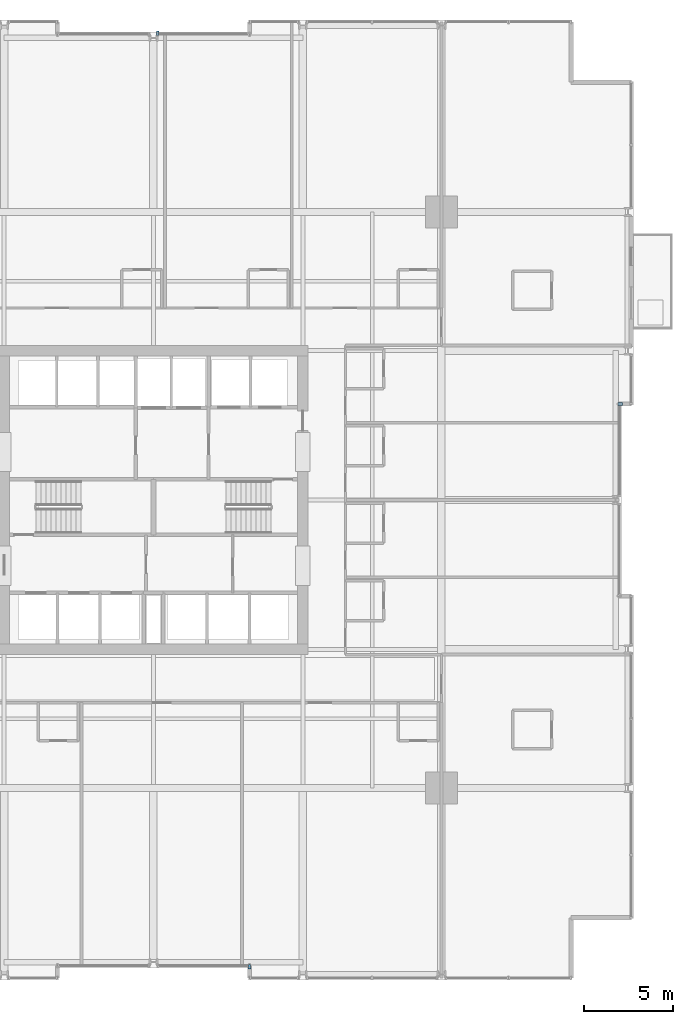
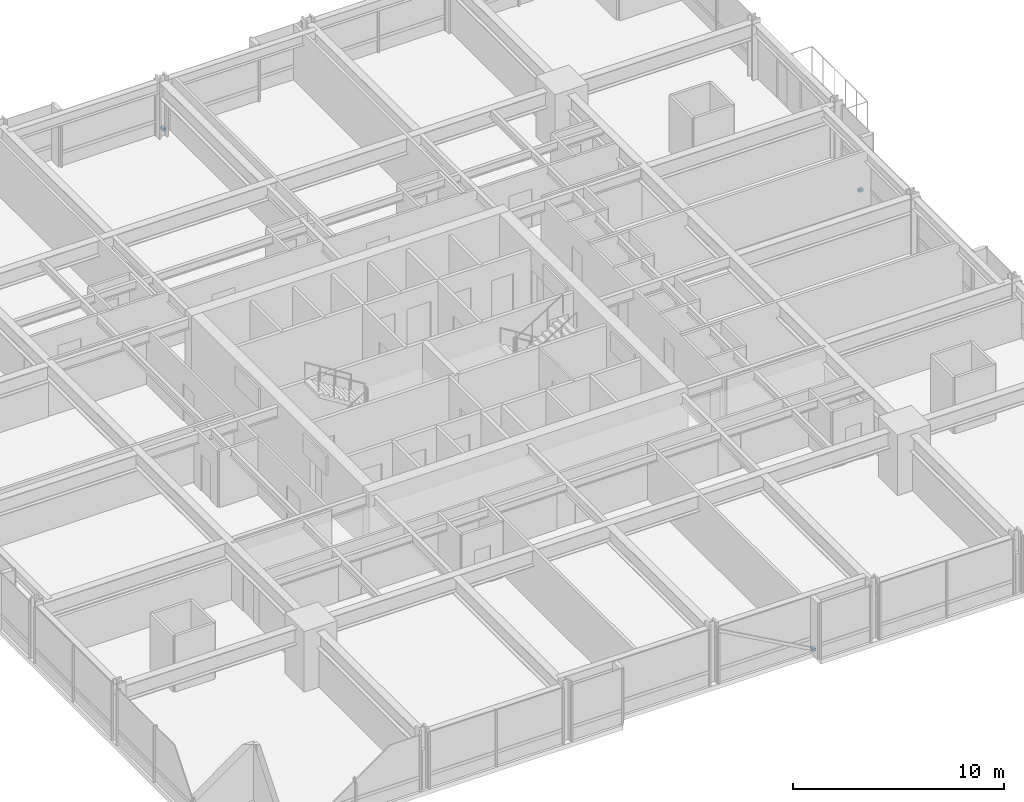
# One storey, part 34 of 37: 3 discrete accessories.
"""IFC4 building model written with IfcOpenShell, lengths in metres."""

import ifcopenshell
import ifcopenshell.guid

model = None  # the IFC model being written
_history = None  # IfcOwnerHistory: only IFC2X3 demands one
_inside = {}  # id of a spatial element -> (the spatial element, [elements in it])
_under = {}  # id of a project, library or spatial element -> (it, [spatial elements below it])
_declared = {}  # id of a project -> (the project, [libraries it declares])
_typed = {}  # id of a type object -> (the type object, [elements of that type])
_made_of = {}  # id of a material, layer set ... -> (it, [elements and type objects made of it])


def new_model(schema):
    """Start an empty IFC model of exactly this schema.

    Asked for "IFC4X3", IfcOpenShell would pick the latest addendum, in which some entities
    have other attributes; the version numbers below select the first issue.
    IFC2X3 requires an IfcOwnerHistory on every rooted entity: one is made here for all.
    """
    global model, _history
    if schema == "IFC4X3":
        model = ifcopenshell.file(schema_version=(4, 3, 0, 0))
    else:
        model = ifcopenshell.file(schema=schema)
    _inside.clear()
    _under.clear()
    _declared.clear()
    _typed.clear()
    _made_of.clear()
    _history = None
    if model.schema == "IFC2X3":
        org = make("IfcOrganization", Name="unknown")
        user = make(
            "IfcPersonAndOrganization",
            ThePerson=make("IfcPerson", FamilyName="unknown"),
            TheOrganization=org,
        )
        app = make(
            "IfcApplication",
            ApplicationDeveloper=org,
            Version="unknown",
            ApplicationFullName="unknown",
            ApplicationIdentifier="unknown",
        )
        _history = make(
            "IfcOwnerHistory",
            OwningUser=user,
            OwningApplication=app,
            ChangeAction="ADDED",
            CreationDate=0,
        )
    return model


def make(cls, **values):
    """One entity of the class cls with the attributes given. An attribute that is None is left unset."""
    return model.create_entity(
        cls, **{name: value for name, value in values.items() if value is not None}
    )


def rooted(cls, **values):
    """An entity with a GlobalId (a new one), such as an element, a storey or a relation."""
    return make(cls, GlobalId=ifcopenshell.guid.new(), OwnerHistory=_history, **values)


def si_unit(unit_type, name, prefix=None):
    """IfcSIUnit, for example si_unit("LENGTHUNIT", "METRE", prefix="MILLI")."""
    return make("IfcSIUnit", UnitType=unit_type, Prefix=prefix, Name=name)


def assignment(units):
    """IfcUnitAssignment: the units of a project."""
    return None if units is None else make("IfcUnitAssignment", Units=units)


def point(xyz):
    """IfcCartesianPoint."""
    return None if xyz is None else make("IfcCartesianPoint", Coordinates=xyz)


def direction(xyz):
    """IfcDirection."""
    return None if xyz is None else make("IfcDirection", DirectionRatios=xyz)


def frame(location, z_axis=None, x_axis=None):
    """IfcAxis2Placement3D, a coordinate frame: its origin and axes. An axis left out is left unset."""
    return make(
        "IfcAxis2Placement3D",
        Location=point(location),
        Axis=direction(z_axis),
        RefDirection=direction(x_axis),
    )


def frame_2d(location, x_axis=None):
    """IfcAxis2Placement2D, a coordinate frame in the plane: its origin and x axis."""
    return make(
        "IfcAxis2Placement2D", Location=point(location), RefDirection=direction(x_axis)
    )


def origin():
    """The frame at (0, 0, 0) with its axes left unset."""
    return frame((0.0, 0.0, 0.0))


def origin_2d():
    """The frame at (0, 0) in the plane with its x axis left unset."""
    return frame_2d((0.0, 0.0))


def place(relative_to, where):
    """IfcLocalPlacement: puts the frame where relative to a parent placement (None: the world)."""
    return make(
        "IfcLocalPlacement", PlacementRelTo=relative_to, RelativePlacement=where
    )


def context(
    kind, dimensions, precision=None, world=None, true_north=None, identifier=None
):
    """IfcGeometricRepresentationContext, for example the 3D "Model" context."""
    return make(
        "IfcGeometricRepresentationContext",
        ContextIdentifier=identifier,
        ContextType=kind,
        CoordinateSpaceDimension=dimensions,
        Precision=precision,
        WorldCoordinateSystem=world,
        TrueNorth=true_north,
    )


def subcontext(parent, identifier, kind, view, scale=None):
    """IfcGeometricRepresentationSubContext, for example "Body" below "Model"."""
    return make(
        "IfcGeometricRepresentationSubContext",
        ContextIdentifier=identifier,
        ContextType=kind,
        ParentContext=parent,
        TargetScale=scale,
        TargetView=view,
    )


def project(units=None, contexts=None):
    """IfcProject with its units and contexts."""
    return rooted(
        "IfcProject",
        Name="project",
        RepresentationContexts=contexts,
        UnitsInContext=assignment(units),
    )


def spatial(cls, under=None, at=None, **own):
    """A site, building, storey or space (cls), placed at a placement, below another one or the project."""
    s = rooted(cls, ObjectPlacement=at, **own)
    if under is not None:
        _under.setdefault(under.id(), (under, []))[1].append(s)
    return s


def profile(cls, at=None, kind="AREA", **sizes):
    """A parametric profile (cls). Its sizes go by their IFC names, for example OverallWidth=200.0."""
    return make(cls, ProfileType=kind, Position=at, **sizes)


def rectangle(**sizes):
    """IfcRectangleProfileDef."""
    return profile("IfcRectangleProfileDef", **sizes)


def extrude(swept, where, along, depth):
    """IfcExtrudedAreaSolid: the profile swept, set in the frame where, extruded along a direction by depth."""
    return make(
        "IfcExtrudedAreaSolid",
        SweptArea=swept,
        Position=where,
        ExtrudedDirection=direction(along),
        Depth=depth,
    )


def shape(context_of_items, identifier, shape_type, items):
    """IfcShapeRepresentation: the items that make up one representation, for example the "Body"."""
    return make(
        "IfcShapeRepresentation",
        ContextOfItems=context_of_items,
        RepresentationIdentifier=identifier,
        RepresentationType=shape_type,
        Items=items,
    )


def material(Name=None, Category=None):
    """IfcMaterial."""
    return make("IfcMaterial", Name=Name, Category=Category)


def made_of(thing, what):
    """Note that an element or type object is made of a material, layer set ...; save() writes the relation."""
    if what is not None:
        _made_of.setdefault(what.id(), (what, []))[1].append(thing)
    return thing


def type_object(cls, material=None, **own):
    """A type object (cls), such as IfcWallType, which elements share."""
    return made_of(rooted(cls, **own), material)


def element(
    cls,
    number,
    at=None,
    inside=None,
    cuts=None,
    type_object=None,
    material=None,
    context=None,
    identifier="Body",
    shape_type=None,
    held_by="IfcProductDefinitionShape",
    body=None,
    shapes=None,
    **own,
):
    """One element of the class cls, such as IfcWall. Its Tag is "e" and its number.

    at: its placement. inside: the storey or other place that contains it. cuts: it is an
    opening in that element (IfcRelVoidsElement). A single representation is given by context,
    identifier, shape_type and body (its items); several are given by shapes. held_by: the class
    of the entity that holds the representations. save() writes the other relations.
    """
    e = rooted(cls, Tag="e%d" % number, ObjectPlacement=at, **own)
    if body is not None:
        shapes = [shape(context, identifier, shape_type, body)]
    if shapes is not None:
        e.Representation = make(held_by, Representations=shapes)
    if inside is not None:
        _inside.setdefault(inside.id(), (inside, []))[1].append(e)
    if cuts is not None:
        rooted(
            "IfcRelVoidsElement", RelatingBuildingElement=cuts, RelatedOpeningElement=e
        )
    if type_object is not None:
        _typed.setdefault(type_object.id(), (type_object, []))[1].append(e)
    return made_of(e, material)


def aggregate(whole, parts):
    """IfcRelAggregates: a whole, such as a stair, and the parts it consists of."""
    return rooted("IfcRelAggregates", RelatingObject=whole, RelatedObjects=parts)


def save(model, path):
    """Write the relations noted so far, then the file.

    IfcRelAggregates (storeys below a building ...), IfcRelContainedInSpatialStructure (elements
    in a storey), IfcRelDefinesByType, IfcRelAssociatesMaterial and IfcRelDeclares: one each for
    every whole, place, type object, material and project.
    """
    for whole, parts in _under.values():
        aggregate(whole, parts)
    for where, things in _inside.values():
        rooted(
            "IfcRelContainedInSpatialStructure",
            RelatedElements=things,
            RelatingStructure=where,
        )
    for kind, things in _typed.values():
        rooted("IfcRelDefinesByType", RelatedObjects=things, RelatingType=kind)
    for what, things in _made_of.values():
        rooted("IfcRelAssociatesMaterial", RelatedObjects=things, RelatingMaterial=what)
    for by, libraries in _declared.values():
        rooted("IfcRelDeclares", RelatingContext=by, RelatedDefinitions=libraries)
    model.write(path)


model = new_model("IFC4")

# Units and contexts
model_context = context("Model", 3, precision=1e-05, world=origin(), true_north=direction((0.0, 1.0)))
body_context = subcontext(model_context, "Body", "Model", "MODEL_VIEW")
ifc_project = project(units=[si_unit("LENGTHUNIT", "METRE"), si_unit("AREAUNIT", "SQUARE_METRE"), si_unit("VOLUMEUNIT", "CUBIC_METRE"), si_unit("PLANEANGLEUNIT", "RADIAN"), si_unit("MASSUNIT", "GRAM", prefix="KILO")], contexts=[model_context])

# Site, building, storey
site_placement = place(None, origin())
site = spatial("IfcSite", under=ifc_project, at=site_placement, CompositionType="ELEMENT")
building_placement = place(site_placement, origin())
building = spatial("IfcBuilding", under=site, at=building_placement, Name="Drelvath Grand Hotel", CompositionType="ELEMENT")
storey_placement = place(building_placement, frame((0.0, 0.0, 43.699951171875)))
storey = spatial("IfcBuildingStorey", under=building, at=storey_placement, Name="L09", CompositionType="ELEMENT", Elevation=43.699951171875)

# Discrete accessories
ifc_material = material(Name="Stainless Steel Grade 316", Category="steel")
discrete_accessory_type = type_object("IfcDiscreteAccessoryType", Name="Curtain Wall Fin Mounting Bracket Cleat", PredefinedType="BRACKET", material=ifc_material)
for number, where, z_axis, x_axis, name in (
    (1, (26.260009765625, 32.39990234375, 0.10009765625), (0.0, 0.0, 1.0), (0.0, -1.0, 0.0), "L09 Fin Mounting Bracket CW02-L09-EM2-1"),
    (2, (0.240966796875, 53.260009765625, 0.10009765625), (0.0, 0.0, 1.0), (1.0, 0.0, 0.0), "L09 Fin Mounting Bracket CW02-L09-NM2-1"),
    (3, (5.39990234375, 0.739990234375, 0.10009765625), (0.0, 0.0, 1.0), (-1.0, 0.0, 0.0), "L09 Fin Mounting Bracket CW02-L09-SM2-1"),
):
    element("IfcDiscreteAccessory", number, at=place(storey_placement, frame(where, z_axis=z_axis, x_axis=x_axis)), inside=storey, type_object=discrete_accessory_type, Name=name, PredefinedType="BRACKET", context=body_context, shape_type="SweptSolid", body=[
        extrude(rectangle(XDim=0.159912109375, YDim=0.239990234375, at=origin_2d()), origin(), (0.0, 0.0, 1.0), 0.159912109375),
    ])

save(model, "model.ifc")
